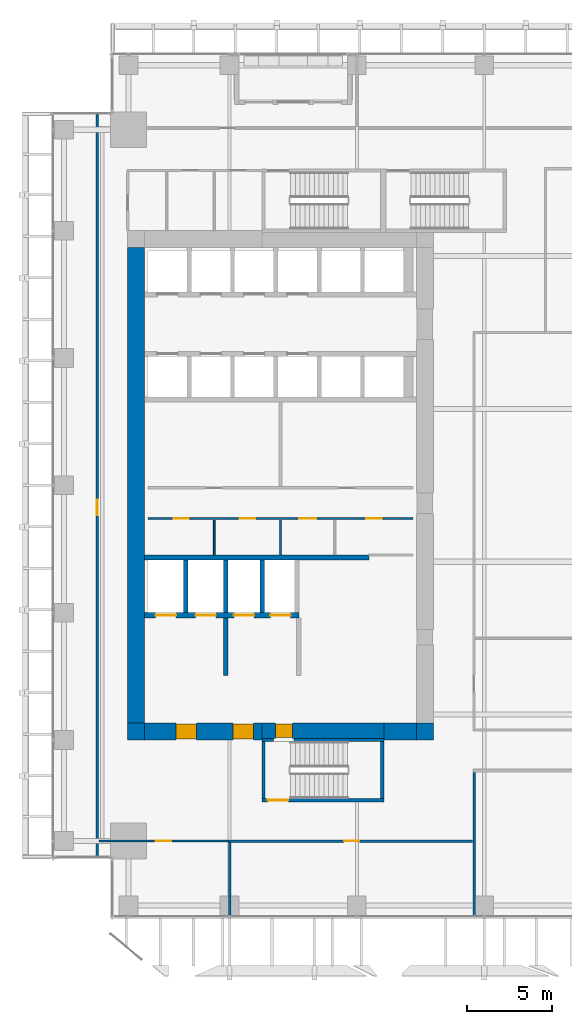
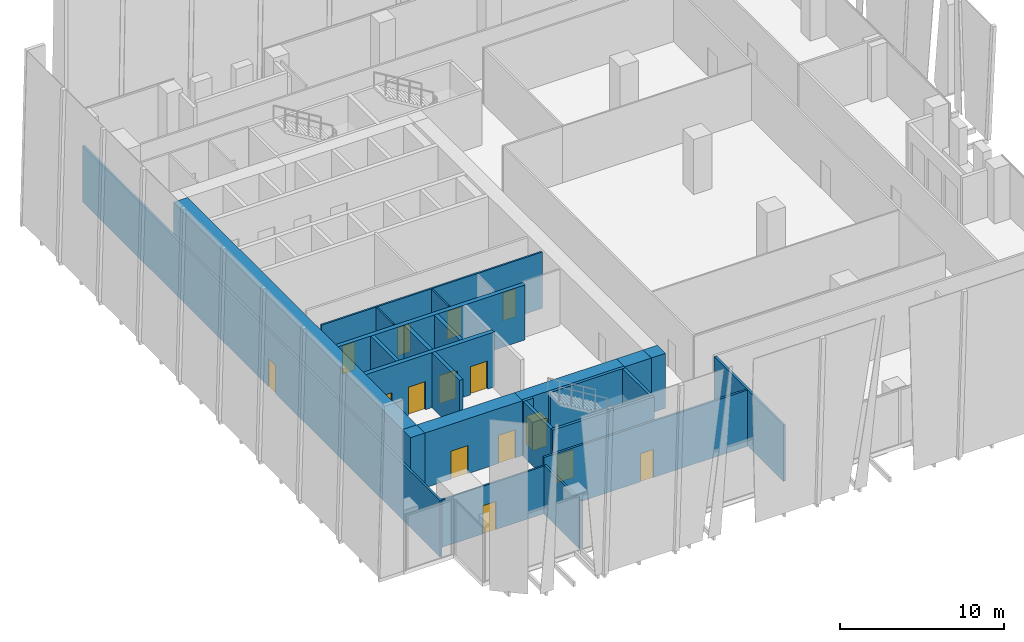
# One storey, part 28 of 36: 25 walls, 15 doors, 15 openings.
"""IFC4 building model written with IfcOpenShell, lengths in metres."""

from ifc_helpers import new_model, si_unit, direction, frame, frame_2d, origin, place, context, subcontext, project, spatial, rectangle, extrude, source, transform, mapped, material, layer, layer_set, type_object, element, fill, save


model = new_model("IFC4")

# Units and contexts
model_context = context("Model", 3, precision=1e-05, world=origin(), true_north=direction((0.0, 1.0)))
body_context = subcontext(model_context, "Body", "Model", "MODEL_VIEW")
ifc_project = project(units=[si_unit("LENGTHUNIT", "METRE"), si_unit("AREAUNIT", "SQUARE_METRE"), si_unit("VOLUMEUNIT", "CUBIC_METRE"), si_unit("PLANEANGLEUNIT", "RADIAN"), si_unit("MASSUNIT", "GRAM", prefix="KILO")], contexts=[model_context])

# Site, building, storey
site_placement = place(None, origin())
site = spatial("IfcSite", under=ifc_project, at=site_placement, CompositionType="ELEMENT")
building_placement = place(site_placement, origin())
building = spatial("IfcBuilding", under=site, at=building_placement, Name="Khomas Fold Tower", CompositionType="ELEMENT")
storey_placement = place(building_placement, frame((0.0, 0.0, 141.10009765625)))
storey = spatial("IfcBuildingStorey", under=building, at=storey_placement, Name="L30", CompositionType="ELEMENT", Elevation=141.10009765625)

# Wall, openings, doors
ifc_material_1 = material(Name="Concrete C70/85", Category="concrete")
ifc_layer_1 = layer(ifc_material_1, 1.0)
ifc_layer_set_1 = layer_set([ifc_layer_1], Name="Concrete C70/85")
wall_type_1 = type_object("IfcWallType", Name="Core wall 1000", PredefinedType="SHEAR", material=ifc_layer_set_1)
shared_shape_1 = source(origin(), body_context, "Body", "SweptSolid", [
    extrude(rectangle(XDim=6.89990234375, YDim=1.0, at=frame_2d((3.449951171875, 0.0))), origin(), (0.0, 0.0, 1.0), 4.099853515625),
])
wall_1_placement = place(storey_placement, frame((7.0, 12.5, 0.0), z_axis=(0.0, 0.0, 1.0), x_axis=(1.0, 0.0, 0.0)))
wall_1 = element("IfcWall", 1, at=wall_1_placement, inside=storey, type_object=wall_type_1, Name="Core wall CW-L-S-L21", PredefinedType="SHEAR", context=body_context, shape_type="MappedRepresentation", body=[
    mapped(shared_shape_1, transform((0.0, 0.0, 0.0))),
])
shared_shape_2 = source(origin(), body_context, "Body", "SweptSolid", [
    extrude(rectangle(XDim=1.199951171875, YDim=2.10009765625, at=frame_2d((0.60009765625, 1.050048828125))), frame((0.0, 0.510009765625, 0.0), z_axis=(0.0, -1.0, 0.0), x_axis=(1.0, 0.0, 0.0)), (0.0, 0.0, 1.0), 1.02001953125),
])
opening_1_placement = place(wall_1_placement, frame((5.199951171875, 0.0, 0.0)))
opening_1 = element("IfcOpeningElement", 2, at=opening_1_placement, cuts=wall_1, Name="Opening 0009", PredefinedType="OPENING", context=body_context, shape_type="MappedRepresentation", body=[
    mapped(shared_shape_2, transform((0.0, 0.0, 0.0))),
])
opening_2_placement = place(wall_1_placement, frame((1.85009765625, 0.0, 0.0)))
opening_2 = element("IfcOpeningElement", 3, at=opening_2_placement, cuts=wall_1, Name="Opening 0009", PredefinedType="OPENING", context=body_context, shape_type="MappedRepresentation", body=[
    mapped(shared_shape_2, transform((0.0, 0.0, 0.0))),
])
ifc_material_2 = material(Name="Steel door leaf", Category="steel")
door_type_1 = type_object("IfcDoorType", Name="Lobby door 1200x2100 right-hand", OperationType="SINGLE_SWING_RIGHT", PredefinedType="DOOR", material=ifc_material_2)
shared_shape_3 = source(origin(), body_context, "Body", "SweptSolid", [
    extrude(rectangle(XDim=1.199951171875, YDim=2.10009765625, at=frame_2d((0.60009765625, 1.050048828125))), frame((0.0, 0.449951171875, 0.0), z_axis=(0.0, -1.0, 0.0), x_axis=(1.0, 0.0, 0.0)), (0.0, 0.0, 1.0), 0.89990234375),
])
door_1_placement = place(opening_1_placement, origin())
door_1 = element("IfcDoor", 4, at=door_1_placement, inside=storey, type_object=door_type_1, Name="Lobby door", OperationType="SINGLE_SWING_RIGHT", OverallHeight=2.10009765625, OverallWidth=1.199951171875, PredefinedType="DOOR", context=body_context, shape_type="MappedRepresentation", body=[
    mapped(shared_shape_3, transform((0.0, 0.0, 0.0))),
])
fill(opening_1, door_1)
door_2_placement = place(opening_2_placement, origin())
door_2 = element("IfcDoor", 5, at=door_2_placement, inside=storey, type_object=door_type_1, Name="Lobby door", OperationType="SINGLE_SWING_RIGHT", OverallHeight=2.10009765625, OverallWidth=1.199951171875, PredefinedType="DOOR", context=body_context, shape_type="MappedRepresentation", body=[
    mapped(shared_shape_3, transform((0.0, 0.0, 0.0))),
])
fill(opening_2, door_2)

# Walls
ifc_material_3 = material(Name="Concrete C70/85", Category="concrete")
ifc_layer_2 = layer(ifc_material_3, 1.0)
ifc_layer_set_2 = layer_set([ifc_layer_2], Name="Concrete C70/85")
wall_type_2 = type_object("IfcWallType", Name="Core corner wall 1000", PredefinedType="SHEAR", material=ifc_layer_set_2)
shared_shape_4 = source(origin(), body_context, "Body", "SweptSolid", [
    extrude(rectangle(XDim=1.0, YDim=1.0, at=frame_2d((0.5, 0.0))), origin(), (0.0, 0.0, 1.0), 4.099853515625),
])
for number, where, z_axis, x_axis, name in (
    (6, (23.0, 12.5, 0.0), (0.0, 0.0, 1.0), (1.0, 0.0, 0.0), "Core wall CW-L-SE-L21"),
    (7, (6.0, 12.5, 0.0), (0.0, 0.0, 1.0), (1.0, 0.0, 0.0), "Core wall CW-L-SW-L21"),
):
    element("IfcWall", number, at=place(storey_placement, frame(where, z_axis=z_axis, x_axis=x_axis)), inside=storey, type_object=wall_type_2, Name=name, PredefinedType="SHEAR", context=body_context, shape_type="MappedRepresentation", body=[
        mapped(shared_shape_4, transform((0.0, 0.0, 0.0))),
    ])

# Wall, opening, door
ifc_material_4 = material(Name="Concrete C70/85", Category="concrete")
ifc_layer_3 = layer(ifc_material_4, 0.89990234375)
ifc_layer_set_3 = layer_set([ifc_layer_3], Name="Concrete C70/85")
wall_type_3 = type_object("IfcWallType", Name="Core wall 900", PredefinedType="SHEAR", material=ifc_layer_set_3)
shared_shape_5 = source(origin(), body_context, "Body", "SweptSolid", [
    extrude(rectangle(XDim=7.2001953125, YDim=0.89990234375, at=frame_2d((3.60009765625, 0.0))), origin(), (0.0, 0.0, 1.0), 4.099853515625),
])
wall_2_placement = place(storey_placement, frame((13.89990234375, 12.550048828125, 0.0), z_axis=(0.0, 0.0, 1.0), x_axis=(1.0, 0.0, 0.0)))
wall_2 = element("IfcWall", 8, at=wall_2_placement, inside=storey, type_object=wall_type_3, Name="Core wall CW-L-S-L21-1", PredefinedType="SHEAR", context=body_context, shape_type="MappedRepresentation", body=[
    mapped(shared_shape_5, transform((0.0, 0.0, 0.0))),
])
shared_shape_6 = source(origin(), body_context, "Body", "SweptSolid", [
    extrude(rectangle(XDim=1.0, YDim=2.10009765625, at=frame_2d((0.5, 1.050048828125))), frame((0.0, 0.4599609375, 0.0), z_axis=(0.0, -1.0, 0.0), x_axis=(1.0, 0.0, 0.0)), (0.0, 0.0, 1.0), 0.919921875),
])
opening_3_placement = place(wall_2_placement, frame((0.800048828125, 0.0, 0.0)))
opening_3 = element("IfcOpeningElement", 9, at=opening_3_placement, cuts=wall_2, Name="Opening 0010", PredefinedType="OPENING", context=body_context, shape_type="MappedRepresentation", body=[
    mapped(shared_shape_6, transform((0.0, 0.0, 0.0))),
])
ifc_material_5 = material(Name="Steel door leaf", Category="steel")
door_type_2 = type_object("IfcDoorType", Name="Stair door 1000x2100 right-hand", OperationType="SINGLE_SWING_RIGHT", PredefinedType="DOOR", material=ifc_material_5)
shared_shape_7 = source(origin(), body_context, "Body", "SweptSolid", [
    extrude(rectangle(XDim=1.0, YDim=2.10009765625, at=frame_2d((0.5, 1.050048828125))), frame((0.0, 0.39990234375, 0.0), z_axis=(0.0, -1.0, 0.0), x_axis=(1.0, 0.0, 0.0)), (0.0, 0.0, 1.0), 0.7998046875),
])
door_3_placement = place(opening_3_placement, origin())
door_3 = element("IfcDoor", 10, at=door_3_placement, inside=storey, type_object=door_type_2, Name="Stair door", OperationType="SINGLE_SWING_RIGHT", OverallHeight=2.10009765625, OverallWidth=1.0, PredefinedType="DOOR", context=body_context, shape_type="MappedRepresentation", body=[
    mapped(shared_shape_7, transform((0.0, 0.0, 0.0))),
])
fill(opening_3, door_3)

# Walls
shared_shape_8 = source(origin(), body_context, "Body", "SweptSolid", [
    extrude(rectangle(XDim=1.89990234375, YDim=1.0, at=frame_2d((0.949951171875, 0.0))), origin(), (0.0, 0.0, 1.0), 4.099853515625),
])
wall_3_placement = place(storey_placement, frame((21.10009765625, 12.5, 0.0), z_axis=(0.0, 0.0, 1.0), x_axis=(1.0, 0.0, 0.0)))
element("IfcWall", 11, at=wall_3_placement, inside=storey, type_object=wall_type_1, Name="Core wall CW-L-S-L21-2", PredefinedType="SHEAR", context=body_context, shape_type="MappedRepresentation", body=[
    mapped(shared_shape_8, transform((0.0, 0.0, 0.0))),
])
shared_shape_9 = source(origin(), body_context, "Body", "SweptSolid", [
    extrude(rectangle(XDim=28.0, YDim=1.0, at=frame_2d((14.0, 0.0))), origin(), (0.0, 0.0, 1.0), 4.099853515625),
])
wall_4_placement = place(storey_placement, frame((6.5, 13.0, 0.0), z_axis=(0.0, 0.0, 1.0), x_axis=(0.0, 1.0, 0.0)))
element("IfcWall", 12, at=wall_4_placement, inside=storey, type_object=wall_type_1, Name="Core wall CW-L-W-L21", PredefinedType="SHEAR", context=body_context, shape_type="MappedRepresentation", body=[
    mapped(shared_shape_9, transform((0.0, 0.0, 0.0))),
])
ifc_material_6 = material(Name="Concrete C50/60", Category="concrete")
ifc_layer_4 = layer(ifc_material_6, 0.199951171875)
ifc_layer_set_4 = layer_set([ifc_layer_4], Name="Concrete C50/60")
wall_type_4 = type_object("IfcWallType", Name="Stair wall 200", PredefinedType="SHEAR", material=ifc_layer_set_4)
shared_shape_10 = source(origin(), body_context, "Body", "SweptSolid", [
    extrude(rectangle(XDim=0.7001953125, YDim=0.199951171875, at=frame_2d((0.35009765625, 0.0))), origin(), (0.0, 0.0, 1.0), 4.099853515625),
])
wall_5_placement = place(storey_placement, frame((13.89990234375, 12.0, 0.0), z_axis=(0.0, 0.0, 1.0), x_axis=(1.0, 0.0, 0.0)))
element("IfcWall", 13, at=wall_5_placement, inside=storey, type_object=wall_type_4, Name="Stair wall SW-ST2-N", PredefinedType="SHEAR", context=body_context, shape_type="MappedRepresentation", body=[
    mapped(shared_shape_10, transform((0.0, 0.0, 0.0))),
])
shared_shape_11 = source(origin(), body_context, "Body", "SweptSolid", [
    extrude(rectangle(XDim=5.300048828125, YDim=0.199951171875, at=frame_2d((2.64990234375, 0.0))), origin(), (0.0, 0.0, 1.0), 4.099853515625),
])
wall_6_placement = place(storey_placement, frame((15.800048828125, 12.0, 0.0), z_axis=(0.0, 0.0, 1.0), x_axis=(1.0, 0.0, 0.0)))
element("IfcWall", 14, at=wall_6_placement, inside=storey, type_object=wall_type_4, Name="Stair wall SW-ST2-NB", PredefinedType="SHEAR", context=body_context, shape_type="MappedRepresentation", body=[
    mapped(shared_shape_11, transform((0.0, 0.0, 0.0))),
])

# Wall, opening, door
shared_shape_12 = source(origin(), body_context, "Body", "SweptSolid", [
    extrude(rectangle(XDim=7.2001953125, YDim=0.199951171875, at=frame_2d((3.60009765625, 0.0))), origin(), (0.0, 0.0, 1.0), 4.099853515625),
])
wall_7_placement = place(storey_placement, frame((13.89990234375, 8.449951171875, 0.0), z_axis=(0.0, 0.0, 1.0), x_axis=(1.0, 0.0, 0.0)))
wall_7 = element("IfcWall", 15, at=wall_7_placement, inside=storey, type_object=wall_type_4, Name="Stair wall SW-ST2-S", PredefinedType="SHEAR", context=body_context, shape_type="MappedRepresentation", body=[
    mapped(shared_shape_12, transform((0.0, 0.0, 0.0))),
])
shared_shape_13 = source(origin(), body_context, "Body", "SweptSolid", [
    extrude(rectangle(XDim=1.199951171875, YDim=2.10009765625, at=frame_2d((0.60009765625, 1.050048828125))), frame((0.0, 0.10986328125, 0.0), z_axis=(0.0, -1.0, 0.0), x_axis=(1.0, 0.0, 0.0)), (0.0, 0.0, 1.0), 0.219970703125),
])
opening_4_placement = place(wall_7_placement, frame((0.35009765625, 0.0, 0.0)))
opening_4 = element("IfcOpeningElement", 16, at=opening_4_placement, cuts=wall_7, Name="Opening SD-ST2", PredefinedType="OPENING", context=body_context, shape_type="MappedRepresentation", body=[
    mapped(shared_shape_13, transform((0.0, 0.0, 0.0))),
])
ifc_material_7 = material(Name="Steel door leaf", Category="steel")
door_type_3 = type_object("IfcDoorType", Name="Stair door 1200x2100 right-hand", OperationType="SINGLE_SWING_RIGHT", PredefinedType="DOOR", material=ifc_material_7)
shared_shape_14 = source(origin(), body_context, "Body", "SweptSolid", [
    extrude(rectangle(XDim=1.199951171875, YDim=2.10009765625, at=frame_2d((0.60009765625, 1.050048828125))), frame((0.0, 0.02490234375, 0.0), z_axis=(0.0, -1.0, 0.0), x_axis=(1.0, 0.0, 0.0)), (0.0, 0.0, 1.0), 0.050048828125),
])
door_4_placement = place(opening_4_placement, origin())
door_4 = element("IfcDoor", 17, at=door_4_placement, inside=storey, type_object=door_type_3, Name="Stair door", OperationType="SINGLE_SWING_RIGHT", OverallHeight=2.10009765625, OverallWidth=1.199951171875, PredefinedType="DOOR", context=body_context, shape_type="MappedRepresentation", body=[
    mapped(shared_shape_14, transform((0.0, 0.0, 0.0))),
])
fill(opening_4, door_4)

# Walls
shared_shape_15 = source(origin(), body_context, "Body", "SweptSolid", [
    extrude(rectangle(XDim=3.349853515625, YDim=0.199951171875, at=frame_2d((1.6748046875, 0.0))), origin(), (0.0, 0.0, 1.0), 4.099853515625),
])
for number, where, z_axis, x_axis, name in (
    (18, (21.0, 8.550048828125, 0.0), (0.0, 0.0, 1.0), (0.0, 1.0, 0.0), "Stair wall SW-ST2-E"),
    (19, (14.0, 8.550048828125, 0.0), (0.0, 0.0, 1.0), (0.0, 1.0, 0.0), "Stair wall SW-ST2-W"),
):
    element("IfcWall", number, at=place(storey_placement, frame(where, z_axis=z_axis, x_axis=x_axis)), inside=storey, type_object=wall_type_4, Name=name, PredefinedType="SHEAR", context=body_context, shape_type="MappedRepresentation", body=[
        mapped(shared_shape_15, transform((0.0, 0.0, 0.0))),
    ])
ifc_material_8 = material(Name="Concrete C50/60", Category="concrete")
ifc_layer_5 = layer(ifc_material_8, 0.300048828125)
ifc_layer_set_5 = layer_set([ifc_layer_5], Name="Concrete C50/60")
wall_type_5 = type_object("IfcWallType", Name="Shaft wall 300", PredefinedType="STANDARD", material=ifc_layer_set_5)
shared_shape_16 = source(origin(), body_context, "Body", "SweptSolid", [
    extrude(rectangle(XDim=13.199951171875, YDim=0.300048828125, at=frame_2d((6.60009765625, 0.0))), origin(), (0.0, 0.0, 1.0), 4.099853515625),
])
wall_8_placement = place(storey_placement, frame((7.0, 22.75, 0.0), z_axis=(0.0, 0.0, 1.0), x_axis=(1.0, 0.0, 0.0)))
element("IfcWall", 20, at=wall_8_placement, inside=storey, type_object=wall_type_5, Name="Core wall SW-FS-B", PredefinedType="STANDARD", context=body_context, shape_type="MappedRepresentation", body=[
    mapped(shared_shape_16, transform((0.0, 0.0, 0.0))),
])

# Wall, openings, doors
shared_shape_17 = source(origin(), body_context, "Body", "SweptSolid", [
    extrude(rectangle(XDim=9.074951171875, YDim=0.300048828125, at=frame_2d((4.53759765625, 0.0))), origin(), (0.0, 0.0, 1.0), 4.099853515625),
])
wall_9_placement = place(storey_placement, frame((7.0, 19.35009765625, 0.0), z_axis=(0.0, 0.0, 1.0), x_axis=(1.0, 0.0, 0.0)))
wall_9 = element("IfcWall", 21, at=wall_9_placement, inside=storey, type_object=wall_type_5, Name="Core wall SW-FS-F", PredefinedType="STANDARD", context=body_context, shape_type="MappedRepresentation", body=[
    mapped(shared_shape_17, transform((0.0, 0.0, 0.0))),
])
shared_shape_18 = source(origin(), body_context, "Body", "SweptSolid", [
    extrude(rectangle(XDim=1.199951171875, YDim=2.10009765625, at=frame_2d((0.60009765625, 1.050048828125))), frame((0.0, 0.159912109375, 0.0), z_axis=(0.0, -1.0, 0.0), x_axis=(1.0, 0.0, 0.0)), (0.0, 0.0, 1.0), 0.320068359375),
])
opening_5_placement = place(wall_9_placement, frame((0.64990234375, 0.0, 0.0)))
opening_5 = element("IfcOpeningElement", 22, at=opening_5_placement, cuts=wall_9, Name="Opening LD-SV1", PredefinedType="OPENING", context=body_context, shape_type="MappedRepresentation", body=[
    mapped(shared_shape_18, transform((0.0, 0.0, 0.0))),
])
opening_6_placement = place(wall_9_placement, frame((3.0, 0.0, 0.0)))
opening_6 = element("IfcOpeningElement", 23, at=opening_6_placement, cuts=wall_9, Name="Opening LD-SV2", PredefinedType="OPENING", context=body_context, shape_type="MappedRepresentation", body=[
    mapped(shared_shape_18, transform((0.0, 0.0, 0.0))),
])
opening_7_placement = place(wall_9_placement, frame((5.25, 0.0, 0.0)))
opening_7 = element("IfcOpeningElement", 24, at=opening_7_placement, cuts=wall_9, Name="Opening LD-FF1", PredefinedType="OPENING", context=body_context, shape_type="MappedRepresentation", body=[
    mapped(shared_shape_18, transform((0.0, 0.0, 0.0))),
])
opening_8_placement = place(wall_9_placement, frame((7.39990234375, 0.0, 0.0)))
opening_8 = element("IfcOpeningElement", 25, at=opening_8_placement, cuts=wall_9, Name="Opening LD-FF2", PredefinedType="OPENING", context=body_context, shape_type="MappedRepresentation", body=[
    mapped(shared_shape_18, transform((0.0, 0.0, 0.0))),
])
ifc_material_9 = material(Name="Steel door leaf", Category="steel")
door_type_4 = type_object("IfcDoorType", Name="Landing door 1200x2100", OperationType="DOUBLE_DOOR_SLIDING", PredefinedType="DOOR", material=ifc_material_9)
door_5_placement = place(opening_5_placement, origin())
door_5 = element("IfcDoor", 26, at=door_5_placement, inside=storey, type_object=door_type_4, Name="Lift landing door", OperationType="DOUBLE_DOOR_SLIDING", OverallHeight=2.10009765625, OverallWidth=1.199951171875, PredefinedType="DOOR", context=body_context, shape_type="MappedRepresentation", body=[
    mapped(shared_shape_14, transform((0.0, 0.0, 0.0))),
])
fill(opening_5, door_5)
door_6_placement = place(opening_6_placement, origin())
door_6 = element("IfcDoor", 27, at=door_6_placement, inside=storey, type_object=door_type_4, Name="Lift landing door", OperationType="DOUBLE_DOOR_SLIDING", OverallHeight=2.10009765625, OverallWidth=1.199951171875, PredefinedType="DOOR", context=body_context, shape_type="MappedRepresentation", body=[
    mapped(shared_shape_14, transform((0.0, 0.0, 0.0))),
])
fill(opening_6, door_6)
door_7_placement = place(opening_7_placement, origin())
door_7 = element("IfcDoor", 28, at=door_7_placement, inside=storey, type_object=door_type_4, Name="Lift landing door", OperationType="DOUBLE_DOOR_SLIDING", OverallHeight=2.10009765625, OverallWidth=1.199951171875, PredefinedType="DOOR", context=body_context, shape_type="MappedRepresentation", body=[
    mapped(shared_shape_14, transform((0.0, 0.0, 0.0))),
])
fill(opening_7, door_7)
door_8_placement = place(opening_8_placement, origin())
door_8 = element("IfcDoor", 29, at=door_8_placement, inside=storey, type_object=door_type_4, Name="Lift landing door", OperationType="DOUBLE_DOOR_SLIDING", OverallHeight=2.10009765625, OverallWidth=1.199951171875, PredefinedType="DOOR", context=body_context, shape_type="MappedRepresentation", body=[
    mapped(shared_shape_14, transform((0.0, 0.0, 0.0))),
])
fill(opening_8, door_8)

# Walls
ifc_material_10 = material(Name="Concrete C50/60", Category="concrete")
ifc_layer_6 = layer(ifc_material_10, 0.25)
ifc_layer_set_6 = layer_set([ifc_layer_6], Name="Concrete C50/60")
wall_type_6 = type_object("IfcWallType", Name="Shaft wall 250", PredefinedType="STANDARD", material=ifc_layer_set_6)
shared_shape_19 = source(origin(), body_context, "Body", "SweptSolid", [
    extrude(rectangle(XDim=3.10009765625, YDim=0.25, at=frame_2d((1.550048828125, 0.0))), origin(), (0.0, 0.0, 1.0), 4.099853515625),
])
for number, where, z_axis, x_axis, name in (
    (30, (9.425048828125, 19.5, 0.0), (0.0, 0.0, 1.0), (0.0, 1.0, 0.0), "Core wall SW-FS-P1"),
    (31, (11.77490234375, 19.5, 0.0), (0.0, 0.0, 1.0), (0.0, 1.0, 0.0), "Core wall SW-FS-P2"),
    (32, (13.925048828125, 19.5, 0.0), (0.0, 0.0, 1.0), (0.0, 1.0, 0.0), "Core wall SW-FS-P3"),
):
    element("IfcWall", number, at=place(storey_placement, frame(where, z_axis=z_axis, x_axis=x_axis)), inside=storey, type_object=wall_type_6, Name=name, PredefinedType="STANDARD", context=body_context, shape_type="MappedRepresentation", body=[
        mapped(shared_shape_19, transform((0.0, 0.0, 0.0))),
    ])
ifc_material_11 = material(Name="Concrete C50/60", Category="concrete")
ifc_layer_7 = layer(ifc_material_11, 0.25)
ifc_layer_set_7 = layer_set([ifc_layer_7], Name="Concrete C50/60")
wall_type_7 = type_object("IfcWallType", Name="Lobby wall 250", PredefinedType="STANDARD", material=ifc_layer_set_7)
shared_shape_20 = source(origin(), body_context, "Body", "SweptSolid", [
    extrude(rectangle(XDim=3.39990234375, YDim=0.25, at=frame_2d((1.699951171875, 0.0))), origin(), (0.0, 0.0, 1.0), 4.099853515625),
])
wall_10_placement = place(storey_placement, frame((11.77490234375, 15.800048828125, 0.0), z_axis=(0.0, 0.0, 1.0), x_axis=(0.0, 1.0, 0.0)))
element("IfcWall", 33, at=wall_10_placement, inside=storey, type_object=wall_type_7, Name="Core wall SW-FS-SEP", PredefinedType="STANDARD", context=body_context, shape_type="MappedRepresentation", body=[
    mapped(shared_shape_20, transform((0.0, 0.0, 0.0))),
])
ifc_material_12 = material(Name="Plasterboard partition")
ifc_layer_8 = layer(ifc_material_12, 0.10009765625)
ifc_layer_set_8 = layer_set([ifc_layer_8], Name="Plasterboard partition")
wall_type_8 = type_object("IfcWallType", Name="Partition PW1 100", PredefinedType="PARTITIONING", material=ifc_layer_set_8)
shared_shape_21 = source(origin(), body_context, "Body", "SweptSolid", [
    extrude(rectangle(XDim=2.050048828125, YDim=0.10009765625, at=frame_2d((1.02490234375, 0.0))), origin(), (0.0, 0.0, 1.0), 4.199951171875),
])
for number, where, z_axis, x_axis, name in (
    (34, (11.10009765625, 22.89990234375, 0.0), (0.0, 0.0, 1.0), (0.0, 1.0, 0.0), "Partition"),
    (35, (15.0, 22.89990234375, 0.0), (0.0, 0.0, 1.0), (0.0, 1.0, 0.0), "Partition"),
):
    element("IfcWall", number, at=place(storey_placement, frame(where, z_axis=z_axis, x_axis=x_axis)), inside=storey, type_object=wall_type_8, Name=name, PredefinedType="PARTITIONING", context=body_context, shape_type="MappedRepresentation", body=[
        mapped(shared_shape_21, transform((0.0, 0.0, 0.0))),
    ])

# Wall, openings, doors
ifc_material_13 = material(Name="Plasterboard partition")
ifc_layer_9 = layer(ifc_material_13, 0.125)
ifc_layer_set_9 = layer_set([ifc_layer_9], Name="Plasterboard partition")
wall_type_9 = type_object("IfcWallType", Name="Partition PW2 125", PredefinedType="PARTITIONING", material=ifc_layer_set_9)
shared_shape_22 = source(origin(), body_context, "Body", "SweptSolid", [
    extrude(rectangle(XDim=15.60009765625, YDim=0.125, at=frame_2d((7.800048828125, 0.0))), origin(), (0.0, 0.0, 1.0), 4.199951171875),
])
wall_11_placement = place(storey_placement, frame((7.199951171875, 25.050048828125, 0.0), z_axis=(0.0, 0.0, 1.0), x_axis=(1.0, 0.0, 0.0)))
wall_11 = element("IfcWall", 36, at=wall_11_placement, inside=storey, type_object=wall_type_9, Name="Partition", PredefinedType="PARTITIONING", context=body_context, shape_type="MappedRepresentation", body=[
    mapped(shared_shape_22, transform((0.0, 0.0, 0.0))),
])
shared_shape_23 = source(origin(), body_context, "Body", "SweptSolid", [
    extrude(rectangle(XDim=0.89990234375, YDim=2.10009765625, at=frame_2d((0.449951171875, 1.050048828125))), frame((0.0, 0.072509765625, 0.0), z_axis=(0.0, -1.0, 0.0), x_axis=(1.0, 0.0, 0.0)), (0.0, 0.0, 1.0), 0.14501953125),
])
opening_9_placement = place(wall_11_placement, frame((1.5, 0.0, 0.0)))
opening_9 = element("IfcOpeningElement", 37, at=opening_9_placement, cuts=wall_11, Name="Opening 0004", PredefinedType="OPENING", context=body_context, shape_type="MappedRepresentation", body=[
    mapped(shared_shape_23, transform((0.0, 0.0, 0.0))),
])
opening_10_placement = place(wall_11_placement, frame((5.39990234375, 0.0, 0.0)))
opening_10 = element("IfcOpeningElement", 38, at=opening_10_placement, cuts=wall_11, Name="Opening 0005", PredefinedType="OPENING", context=body_context, shape_type="MappedRepresentation", body=[
    mapped(shared_shape_23, transform((0.0, 0.0, 0.0))),
])
shared_shape_24 = source(origin(), body_context, "Body", "SweptSolid", [
    extrude(rectangle(XDim=1.0, YDim=2.10009765625, at=frame_2d((0.5, 1.050048828125))), frame((0.0, 0.072509765625, 0.0), z_axis=(0.0, -1.0, 0.0), x_axis=(1.0, 0.0, 0.0)), (0.0, 0.0, 1.0), 0.14501953125),
])
opening_11_placement = place(wall_11_placement, frame((8.89990234375, 0.0, 0.0)))
opening_11 = element("IfcOpeningElement", 39, at=opening_11_placement, cuts=wall_11, Name="Opening 0006", PredefinedType="OPENING", context=body_context, shape_type="MappedRepresentation", body=[
    mapped(shared_shape_24, transform((0.0, 0.0, 0.0))),
])
opening_12_placement = place(wall_11_placement, frame((12.85009765625, 0.0, 0.0)))
opening_12 = element("IfcOpeningElement", 40, at=opening_12_placement, cuts=wall_11, Name="Opening 0007", PredefinedType="OPENING", context=body_context, shape_type="MappedRepresentation", body=[
    mapped(shared_shape_23, transform((0.0, 0.0, 0.0))),
])
ifc_material_14 = material(Name="Timber door leaf", Category="wood")
door_type_5 = type_object("IfcDoorType", Name="WC door 900x2100 right-hand", OperationType="SINGLE_SWING_RIGHT", PredefinedType="DOOR", material=ifc_material_14)
shared_shape_25 = source(origin(), body_context, "Body", "SweptSolid", [
    extrude(rectangle(XDim=0.89990234375, YDim=2.10009765625, at=frame_2d((0.449951171875, 1.050048828125))), frame((0.0, 0.02490234375, 0.0), z_axis=(0.0, -1.0, 0.0), x_axis=(1.0, 0.0, 0.0)), (0.0, 0.0, 1.0), 0.050048828125),
])
door_9_placement = place(opening_9_placement, origin())
door_9 = element("IfcDoor", 41, at=door_9_placement, inside=storey, type_object=door_type_5, Name="WC door", OperationType="SINGLE_SWING_RIGHT", OverallHeight=2.10009765625, OverallWidth=0.89990234375, PredefinedType="DOOR", context=body_context, shape_type="MappedRepresentation", body=[
    mapped(shared_shape_25, transform((0.0, 0.0, 0.0))),
])
fill(opening_9, door_9)
ifc_material_15 = material(Name="Timber door leaf", Category="wood")
door_type_6 = type_object("IfcDoorType", Name="WC door 900x2100 left-hand", OperationType="SINGLE_SWING_LEFT", PredefinedType="DOOR", material=ifc_material_15)
door_10_placement = place(opening_10_placement, origin())
door_10 = element("IfcDoor", 42, at=door_10_placement, inside=storey, type_object=door_type_6, Name="WC door", OperationType="SINGLE_SWING_LEFT", OverallHeight=2.10009765625, OverallWidth=0.89990234375, PredefinedType="DOOR", context=body_context, shape_type="MappedRepresentation", body=[
    mapped(shared_shape_25, transform((0.0, 0.0, 0.0))),
])
fill(opening_10, door_10)
ifc_material_16 = material(Name="Timber door leaf", Category="wood")
door_type_7 = type_object("IfcDoorType", Name="Door 900x2100 left-hand", OperationType="SINGLE_SWING_LEFT", PredefinedType="DOOR", material=ifc_material_16)
door_11_placement = place(opening_12_placement, origin())
door_11 = element("IfcDoor", 43, at=door_11_placement, inside=storey, type_object=door_type_7, Name="Door", OperationType="SINGLE_SWING_LEFT", OverallHeight=2.10009765625, OverallWidth=0.89990234375, PredefinedType="DOOR", context=body_context, shape_type="MappedRepresentation", body=[
    mapped(shared_shape_25, transform((0.0, 0.0, 0.0))),
])
fill(opening_12, door_11)
ifc_material_17 = material(Name="Timber door leaf", Category="wood")
door_type_8 = type_object("IfcDoorType", Name="WC door 1000x2100 right-hand", OperationType="SINGLE_SWING_RIGHT", PredefinedType="DOOR", material=ifc_material_17)
shared_shape_26 = source(origin(), body_context, "Body", "SweptSolid", [
    extrude(rectangle(XDim=1.0, YDim=2.10009765625, at=frame_2d((0.5, 1.050048828125))), frame((0.0, 0.02490234375, 0.0), z_axis=(0.0, -1.0, 0.0), x_axis=(1.0, 0.0, 0.0)), (0.0, 0.0, 1.0), 0.050048828125),
])
door_12_placement = place(opening_11_placement, origin())
door_12 = element("IfcDoor", 44, at=door_12_placement, inside=storey, type_object=door_type_8, Name="WC door", OperationType="SINGLE_SWING_RIGHT", OverallHeight=2.10009765625, OverallWidth=1.0, PredefinedType="DOOR", context=body_context, shape_type="MappedRepresentation", body=[
    mapped(shared_shape_26, transform((0.0, 0.0, 0.0))),
])
fill(opening_11, door_12)

# Walls
ifc_material_18 = material(Name="Plasterboard fire partition")
ifc_layer_10 = layer(ifc_material_18, 0.14990234375)
ifc_layer_set_10 = layer_set([ifc_layer_10], Name="Plasterboard fire partition")
wall_type_10 = type_object("IfcWallType", Name="Plant room wall PW3 150", PredefinedType="PARTITIONING", material=ifc_layer_set_10)
shared_shape_27 = source(origin(), body_context, "Body", "SweptSolid", [
    extrude(rectangle(XDim=4.300048828125, YDim=0.14990234375, at=frame_2d((2.14990234375, 0.0))), origin(), (0.0, 0.0, 1.0), 3.64990234375),
])
wall_12_placement = place(storey_placement, frame((12.0, 1.64990234375, 0.0), z_axis=(0.0, 0.0, 1.0), x_axis=(0.0, 1.0, 0.0)))
element("IfcWall", 45, at=wall_12_placement, inside=storey, type_object=wall_type_10, Name="Plant room wall", PredefinedType="PARTITIONING", context=body_context, shape_type="MappedRepresentation", body=[
    mapped(shared_shape_27, transform((0.0, 0.0, 0.0))),
])
shared_shape_28 = source(origin(), body_context, "Body", "SweptSolid", [
    extrude(rectangle(XDim=8.4501953125, YDim=0.14990234375, at=frame_2d((4.22509765625, 0.0))), origin(), (0.0, 0.0, 1.0), 4.199951171875),
])
wall_13_placement = place(storey_placement, frame((26.39990234375, 1.64990234375, 0.0), z_axis=(0.0, 0.0, 1.0), x_axis=(0.0, 1.0, 0.0)))
element("IfcWall", 46, at=wall_13_placement, inside=storey, type_object=wall_type_10, Name="Plant room wall", PredefinedType="PARTITIONING", context=body_context, shape_type="MappedRepresentation", body=[
    mapped(shared_shape_28, transform((0.0, 0.0, 0.0))),
])

# Wall, opening, door
shared_shape_29 = source(origin(), body_context, "Body", "SweptSolid", [
    extrude(rectangle(XDim=43.7001953125, YDim=0.14990234375, at=frame_2d((21.85009765625, 0.0))), origin(), (0.0, 0.0, 1.0), 4.199951171875),
])
wall_14_placement = place(storey_placement, frame((4.199951171875, 5.14990234375, 0.0), z_axis=(0.0, 0.0, 1.0), x_axis=(0.0, 1.0, 0.0)))
wall_14 = element("IfcWall", 47, at=wall_14_placement, inside=storey, type_object=wall_type_10, Name="Plant room wall", PredefinedType="PARTITIONING", context=body_context, shape_type="MappedRepresentation", body=[
    mapped(shared_shape_29, transform((0.0, 0.0, 0.0))),
])
shared_shape_30 = source(origin(), body_context, "Body", "SweptSolid", [
    extrude(rectangle(XDim=0.89990234375, YDim=2.10009765625, at=frame_2d((0.449951171875, 1.050048828125))), frame((0.0, 0.0849609375, 0.0), z_axis=(0.0, -1.0, 0.0), x_axis=(1.0, 0.0, 0.0)), (0.0, 0.0, 1.0), 0.169921875),
])
opening_13_placement = place(wall_14_placement, frame((20.10009765625, 0.0, 0.0)))
opening_13 = element("IfcOpeningElement", 48, at=opening_13_placement, cuts=wall_14, Name="Opening 0003", PredefinedType="OPENING", context=body_context, shape_type="MappedRepresentation", body=[
    mapped(shared_shape_30, transform((0.0, 0.0, 0.0))),
])
ifc_material_19 = material(Name="Steel door leaf", Category="steel")
door_type_9 = type_object("IfcDoorType", Name="Plant room door 900x2100 right-hand", OperationType="SINGLE_SWING_RIGHT", PredefinedType="DOOR", material=ifc_material_19)
door_13_placement = place(opening_13_placement, origin())
door_13 = element("IfcDoor", 49, at=door_13_placement, inside=storey, type_object=door_type_9, Name="Plant room door", OperationType="SINGLE_SWING_RIGHT", OverallHeight=2.10009765625, OverallWidth=0.89990234375, PredefinedType="DOOR", context=body_context, shape_type="MappedRepresentation", body=[
    mapped(shared_shape_25, transform((0.0, 0.0, 0.0))),
])
fill(opening_13, door_13)

shared_shape_31 = source(origin(), body_context, "Body", "SweptSolid", [
    extrude(rectangle(XDim=7.64990234375, YDim=0.125, at=frame_2d((3.824951171875, 0.0))), origin(), (0.0, 0.0, 1.0), 3.5498046875),
])
wall_15_placement = place(storey_placement, frame((4.300048828125, 6.050048828125, 0.0), z_axis=(0.0, 0.0, 1.0), x_axis=(1.0, 0.0, 0.0)))
wall_15 = element("IfcWall", 50, at=wall_15_placement, inside=storey, type_object=wall_type_9, Name="Partition", PredefinedType="PARTITIONING", context=body_context, shape_type="MappedRepresentation", body=[
    mapped(shared_shape_31, transform((0.0, 0.0, 0.0))),
])
opening_14_placement = place(wall_15_placement, frame((3.35009765625, 0.0, 0.0)))
opening_14 = element("IfcOpeningElement", 51, at=opening_14_placement, cuts=wall_15, Name="Opening 0007", PredefinedType="OPENING", context=body_context, shape_type="MappedRepresentation", body=[
    mapped(shared_shape_23, transform((0.0, 0.0, 0.0))),
])
door_14_placement = place(opening_14_placement, origin())
door_14 = element("IfcDoor", 52, at=door_14_placement, inside=storey, type_object=door_type_7, Name="Door", OperationType="SINGLE_SWING_LEFT", OverallHeight=2.10009765625, OverallWidth=0.89990234375, PredefinedType="DOOR", context=body_context, shape_type="MappedRepresentation", body=[
    mapped(shared_shape_25, transform((0.0, 0.0, 0.0))),
])
fill(opening_14, door_14)

shared_shape_32 = source(origin(), body_context, "Body", "SweptSolid", [
    extrude(rectangle(XDim=14.35009765625, YDim=0.14990234375, at=frame_2d((7.175048828125, 0.0))), origin(), (0.0, 0.0, 1.0), 4.199951171875),
])
wall_16_placement = place(storey_placement, frame((11.949951171875, 6.050048828125, 0.0), z_axis=(0.0, 0.0, 1.0), x_axis=(1.0, 0.0, 0.0)))
wall_16 = element("IfcWall", 53, at=wall_16_placement, inside=storey, type_object=wall_type_10, Name="Plant room wall", PredefinedType="PARTITIONING", context=body_context, shape_type="MappedRepresentation", body=[
    mapped(shared_shape_32, transform((0.0, 0.0, 0.0))),
])
opening_15_placement = place(wall_16_placement, frame((6.800048828125, 0.0, 0.0)))
opening_15 = element("IfcOpeningElement", 54, at=opening_15_placement, cuts=wall_16, Name="Opening 0003", PredefinedType="OPENING", context=body_context, shape_type="MappedRepresentation", body=[
    mapped(shared_shape_30, transform((0.0, 0.0, 0.0))),
])
door_15_placement = place(opening_15_placement, origin())
door_15 = element("IfcDoor", 55, at=door_15_placement, inside=storey, type_object=door_type_9, Name="Plant room door", OperationType="SINGLE_SWING_RIGHT", OverallHeight=2.10009765625, OverallWidth=0.89990234375, PredefinedType="DOOR", context=body_context, shape_type="MappedRepresentation", body=[
    mapped(shared_shape_25, transform((0.0, 0.0, 0.0))),
])
fill(opening_15, door_15)

save(model, "model.ifc")
